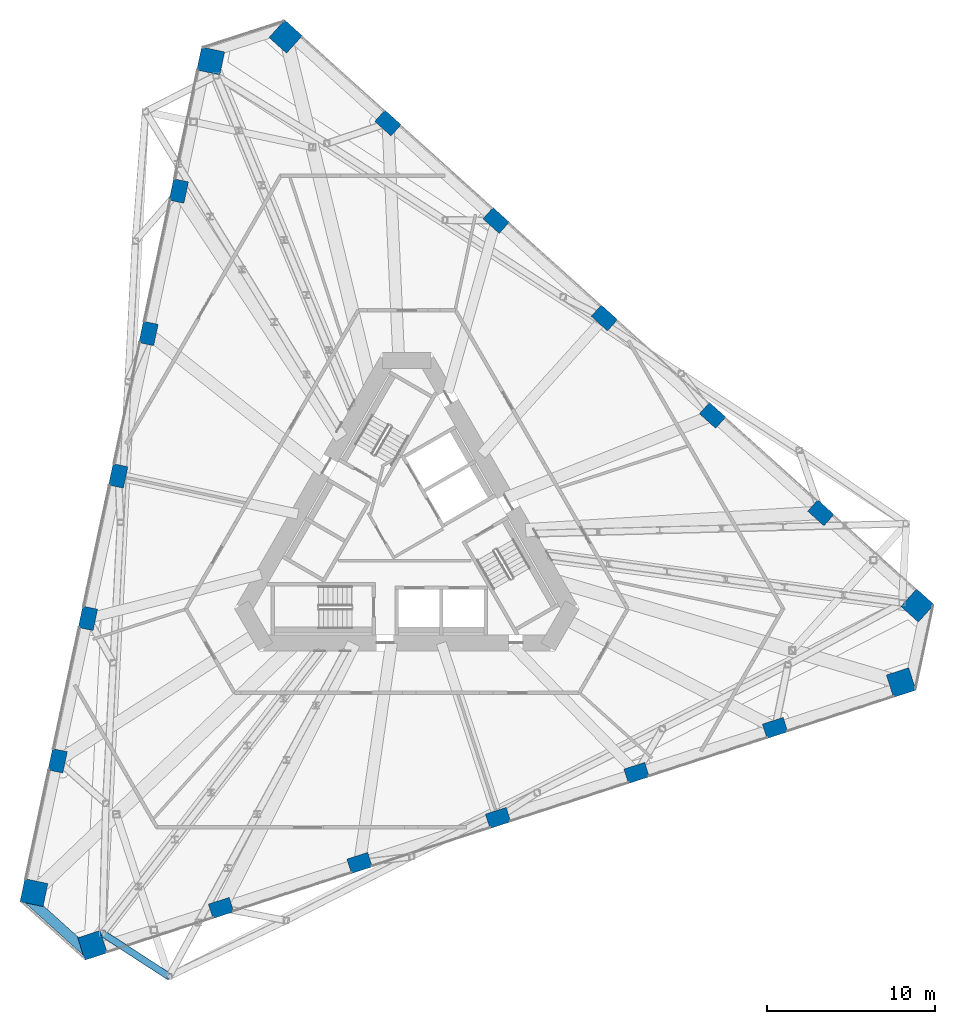
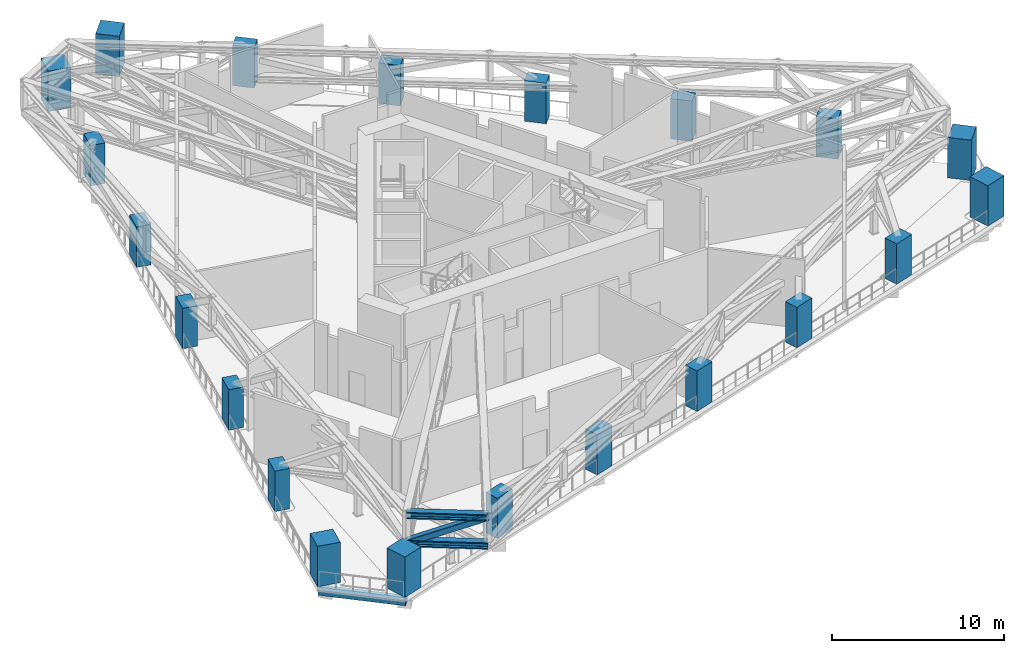
# One storey, part 1 of 24: 21 columns, 3 members, 1 beam.
"""IFC4 building model written with IfcOpenShell, lengths in metres."""

from ifc_helpers import new_model, si_unit, direction, frame, origin, origin_2d, place, context, subcontext, project, spatial, rectangle, hollow_rectangle, i_section, extrude, material, material_profile, profile_set, type_object, element, save


model = new_model("IFC4")

# Units and contexts
model_context = context("Model", 3, precision=1e-05, world=origin(), true_north=direction((0.0, 1.0)))
body_context = subcontext(model_context, "Body", "Model", "MODEL_VIEW")
ifc_project = project(units=[si_unit("LENGTHUNIT", "METRE"), si_unit("AREAUNIT", "SQUARE_METRE"), si_unit("VOLUMEUNIT", "CUBIC_METRE"), si_unit("PLANEANGLEUNIT", "RADIAN"), si_unit("MASSUNIT", "GRAM", prefix="KILO")], contexts=[model_context])

# Site, building, storey
site_placement = place(None, origin())
site = spatial("IfcSite", under=ifc_project, at=site_placement, CompositionType="ELEMENT")
building_placement = place(site_placement, origin())
building = spatial("IfcBuilding", under=site, at=building_placement, Name="Tramontana Tower", CompositionType="ELEMENT")
storey_placement = place(building_placement, frame((0.0, 0.0, 120.39990234375)))
storey = spatial("IfcBuildingStorey", under=building, at=storey_placement, Name="L27", CompositionType="ELEMENT", Elevation=120.39990234375)

# Columns
ifc_material_1 = material(Name="Concrete 70 MPa", Category="concrete")
ifc_material_profile_1 = material_profile(ifc_material_1, rectangle(XDim=1.39990234375, YDim=1.39990234375, at=origin_2d()), Name="Mega column 1400X1400 70 MPa")
ifc_profile_set_1 = profile_set([ifc_material_profile_1], Name="Concrete 70 MPa")
column_type_1 = type_object("IfcColumnType", Name="Mega column 1400X1400 70 MPa", PredefinedType="COLUMN", material=ifc_profile_set_1)
for number, where, z_axis, x_axis, name in (
    (1, (-11.665771484375, 28.3251953125, 0.0), (0.0, 0.0, 1.0), (-0.207911690818, -0.978147600734, 0.0), "Mega column C2K1 L27"),
    (2, (-22.17822265625, -21.13134765625, 0.0), (0.0, 0.0, 1.0), (-0.207911690818, -0.978147600734, 0.0), "Mega column C2K2 L27"),
    (3, (-18.697509765625, -24.265380859375, 0.0), (0.0, 0.0, 1.0), (0.951056516295, 0.309016994375, 0.0), "Mega column C2K3 L27"),
    (4, (29.389404296875, -8.64111328125, 0.0), (0.0, 0.0, 1.0), (0.951056516295, 0.309016994375, 0.0), "Mega column C2K4 L27"),
    (5, (30.36328125, -4.059814453125, 0.0), (0.0, 0.0, 1.0), (-0.743144825477, 0.669130606359, 0.0), "Mega column C2K5 L27"),
    (6, (-7.21142578125, 29.7724609375, 0.0), (0.0, 0.0, 1.0), (-0.743144825477, 0.669130606359, 0.0), "Mega column C2K6 L27"),
):
    element("IfcColumn", number, at=place(storey_placement, frame(where, z_axis=z_axis, x_axis=x_axis)), inside=storey, type_object=column_type_1, Name=name, PredefinedType="COLUMN", context=body_context, shape_type="SweptSolid", body=[
        extrude(rectangle(XDim=1.39990234375, YDim=1.39990234375, at=origin_2d()), origin(), (0.0, 0.0, 1.0), 2.86376953125),
    ])
ifc_material_2 = material(Name="Concrete 55 MPa", Category="concrete")
ifc_material_profile_2 = material_profile(ifc_material_2, rectangle(XDim=1.300048828125, YDim=0.89990234375, at=origin_2d()), Name="Pier column 1300X900 55 MPa")
ifc_profile_set_2 = profile_set([ifc_material_profile_2], Name="Concrete 55 MPa")
column_type_2 = type_object("IfcColumnType", Name="Pier column 1300X900 55 MPa", PredefinedType="COLUMN", material=ifc_profile_set_2)
for number, where, z_axis, x_axis, name in (
    (7, (-13.5654296875, 20.5908203125, 0.0), (0.0, 0.0, 1.0), (-0.207911690818, -0.978147600734, 0.0), "Pier column C2F01 L27"),
    (8, (-15.365966796875, 12.119873046875, 0.0), (0.0, 0.0, 1.0), (-0.207911690818, -0.978147600734, 0.0), "Pier column C2F02 L27"),
    (9, (-17.16650390625, 3.64892578125, 0.0), (0.0, 0.0, 1.0), (-0.207911690818, -0.978147600734, 0.0), "Pier column C2F03 L27"),
    (10, (-18.967041015625, -4.822265625, 0.0), (0.0, 0.0, 1.0), (-0.207911690818, -0.978147600734, 0.0), "Pier column C2F04 L27"),
    (11, (-20.767578125, -13.293212890625, 0.0), (0.0, 0.0, 1.0), (-0.207911690818, -0.978147600734, 0.0), "Pier column C2F05 L27"),
    (12, (-11.049560546875, -22.04345703125, 0.0), (0.0, 0.0, 1.0), (0.951056516295, 0.309016994375, 0.0), "Pier column C2F06 L27"),
    (13, (-2.813232421875, -19.3671875, 0.0), (0.0, 0.0, 1.0), (0.951056516295, 0.309016994375, 0.0), "Pier column C2F07 L27"),
    (14, (5.42333984375, -16.691162109375, 0.0), (0.0, 0.0, 1.0), (0.951056516295, 0.309016994375, 0.0), "Pier column C2F08 L27"),
    (15, (13.65966796875, -14.014892578125, 0.0), (0.0, 0.0, 1.0), (0.951056516295, 0.309016994375, 0.0), "Pier column C2F09 L27"),
    (16, (21.89599609375, -11.338623046875, 0.0), (0.0, 0.0, 1.0), (0.951056516295, 0.309016994375, 0.0), "Pier column C2F10 L27"),
    (17, (24.614990234375, 1.452392578125, 0.0), (0.0, 0.0, 1.0), (-0.743144825477, 0.669130606359, 0.0), "Pier column C2F11 L27"),
    (18, (18.178955078125, 7.247314453125, 0.0), (0.0, 0.0, 1.0), (-0.743144825477, 0.669130606359, 0.0), "Pier column C2F12 L27"),
    (19, (11.7431640625, 13.042236328125, 0.0), (0.0, 0.0, 1.0), (-0.743144825477, 0.669130606359, 0.0), "Pier column C2F13 L27"),
    (20, (5.307373046875, 18.8369140625, 0.0), (0.0, 0.0, 1.0), (-0.743144825477, 0.669130606359, 0.0), "Pier column C2F14 L27"),
    (21, (-1.12841796875, 24.6318359375, 0.0), (0.0, 0.0, 1.0), (-0.743144825477, 0.669130606359, 0.0), "Pier column C2F15 L27"),
):
    element("IfcColumn", number, at=place(storey_placement, frame(where, z_axis=z_axis, x_axis=x_axis)), inside=storey, type_object=column_type_2, Name=name, PredefinedType="COLUMN", context=body_context, shape_type="SweptSolid", body=[
        extrude(rectangle(XDim=1.300048828125, YDim=0.89990234375, at=origin_2d()), origin(), (0.0, 0.0, 1.0), 2.86376953125),
    ])

# Members
ifc_material_3 = material(Name="Steel ASTM A500 Grade C", Category="steel")
ifc_material_profile_3 = material_profile(ifc_material_3, hollow_rectangle(XDim=0.406494140625, YDim=0.406494140625, WallThickness=0.0146484375, InnerFilletRadius=0.0146484375, OuterFilletRadius=0.029541015625, at=origin_2d()), Name="HSS16X16X5/8")
ifc_profile_set_3 = profile_set([ifc_material_profile_3], Name="Steel ASTM A500 Grade C")
member_type_1 = type_object("IfcMemberType", Name="Belt truss HSS16X16X5/8 brace", PredefinedType="BRACE", material=ifc_profile_set_3)
member_placement = place(storey_placement, frame((-18.107421875, -23.54931640625, 2.6318359375), z_axis=(0.773023261357, -0.501969347687, 0.387894072377), x_axis=(0.544610167521, 0.838689314009, 0.0)))
element("IfcMember", 22, at=member_placement, inside=storey, type_object=member_type_1, Name="Belt truss diagonal K1.1", PredefinedType="BRACE", context=body_context, shape_type="SweptSolid", body=[
    extrude(hollow_rectangle(XDim=0.406494140625, YDim=0.406494140625, WallThickness=0.0146484375, InnerFilletRadius=0.0146484375, OuterFilletRadius=0.029541015625, at=origin_2d()), origin(), (0.0, 0.0, 1.0), 5.121337890625),
])
ifc_material_4 = material(Name="Steel ASTM A992 Grade 50", Category="steel")
ifc_material_profile_4 = material_profile(ifc_material_4, i_section(OverallWidth=0.42236328125, OverallDepth=0.463623046875, WebThickness=0.04443359375, FlangeThickness=0.072998046875, FilletRadius=0.014892578125, at=origin_2d()), Name="W14X398")
ifc_profile_set_4 = profile_set([ifc_material_profile_4], Name="Steel ASTM A992 Grade 50")
member_type_2 = type_object("IfcMemberType", Name="Belt truss W14X398 chord", PredefinedType="CHORD", material=ifc_profile_set_4)
for number, where, z_axis, x_axis, name in (
    (23, (-18.107421875, -23.54931640625, 2.6318359375), (0.838689314009, -0.544610167521, 0.0), (0.544610167521, 0.838689314009, 0.0), "Belt truss bottom chord K1"),
    (24, (-18.107421875, -23.54931640625, 4.618408203125), (0.838689314009, -0.544610167521, 0.0), (0.544610167521, 0.838689314009, 0.0), "Belt truss top chord K1"),
):
    element("IfcMember", number, at=place(storey_placement, frame(where, z_axis=z_axis, x_axis=x_axis)), inside=storey, type_object=member_type_2, Name=name, PredefinedType="CHORD", context=body_context, shape_type="SweptSolid", body=[
        extrude(i_section(OverallWidth=0.42236328125, OverallDepth=0.463623046875, WebThickness=0.04443359375, FlangeThickness=0.072998046875, FilletRadius=0.014892578125, at=origin_2d()), origin(), (0.0, 0.0, 1.0), 4.720458984375),
    ])

# Beam
ifc_material_5 = material(Name="Concrete 40 MPa", Category="concrete")
ifc_material_profile_5 = material_profile(ifc_material_5, rectangle(XDim=0.60009765625, YDim=0.35009765625, at=origin_2d()), Name="RC EDGE BEAM 600X350 40 MPa")
ifc_profile_set_5 = profile_set([ifc_material_profile_5], Name="Concrete 40 MPa")
beam_type = type_object("IfcBeamType", Name="RC EDGE BEAM 600X350 40 MPa", PredefinedType="SPANDREL", material=ifc_profile_set_5)
beam_placement = place(storey_placement, frame((-22.707275390625, -21.336181640625, -0.52490234375), z_axis=(0.743160964229, -0.669112682025, 0.0), x_axis=(0.669112682025, 0.743160964229, 0.0)))
element("IfcBeam", 25, at=beam_placement, inside=storey, type_object=beam_type, Name="Spandrel beam K1 L27", PredefinedType="SPANDREL", context=body_context, shape_type="SweptSolid", body=[
    extrude(rectangle(XDim=0.60009765625, YDim=0.35009765625, at=origin_2d()), origin(), (0.0, 0.0, 1.0), 5.196044921875),
])

save(model, "model.ifc")
